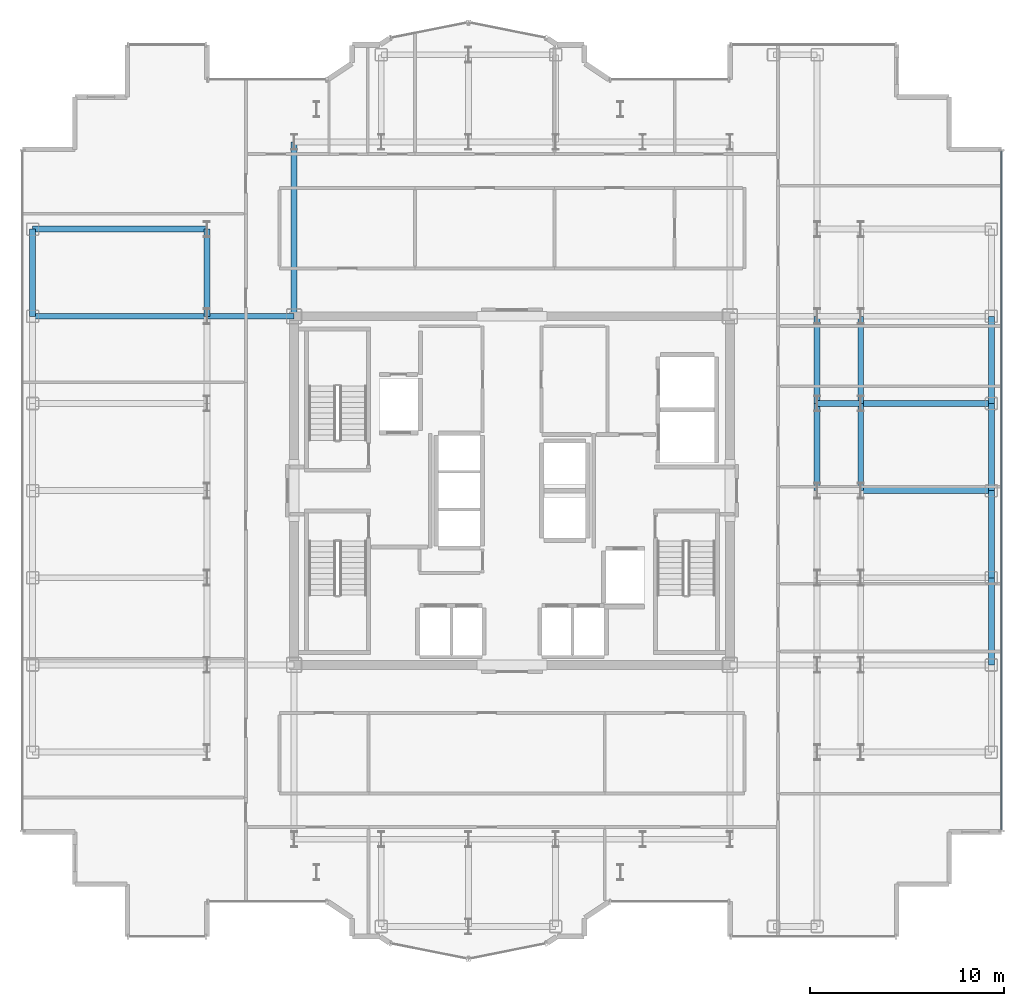
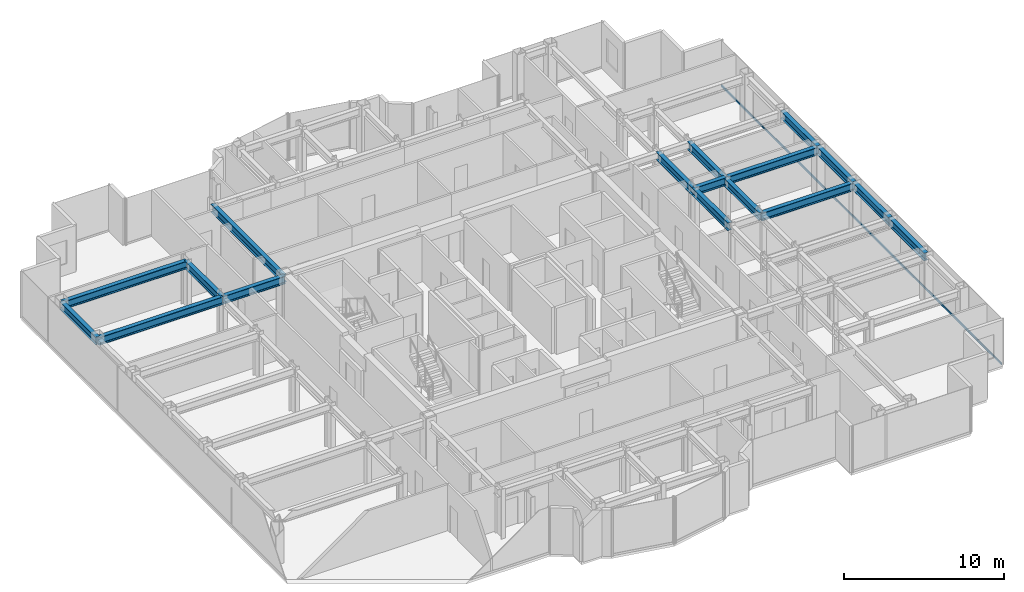
# One storey, part 7 of 20: 17 beams, 1 member, 1 element without a shape of its own.
"""IFC4 building model written with IfcOpenShell, lengths in metres."""

from ifc_helpers import new_model, si_unit, direction, frame, origin, origin_2d, place, context, subcontext, project, spatial, hollow_rectangle, i_section, extrude, source, transform, mapped, material, layer, layer_set, material_profile, profile_set, type_object, element, aggregate, save


model = new_model("IFC4")

# Units and contexts
model_context = context("Model", 3, precision=1e-05, world=origin(), true_north=direction((0.0, 1.0)))
body_context = subcontext(model_context, "Body", "Model", "MODEL_VIEW")
ifc_project = project(units=[si_unit("LENGTHUNIT", "METRE"), si_unit("AREAUNIT", "SQUARE_METRE"), si_unit("VOLUMEUNIT", "CUBIC_METRE"), si_unit("PLANEANGLEUNIT", "RADIAN"), si_unit("MASSUNIT", "GRAM", prefix="KILO")], contexts=[model_context])

# Site, building, storey
site_placement = place(None, origin())
site = spatial("IfcSite", under=ifc_project, at=site_placement, CompositionType="ELEMENT")
building_placement = place(site_placement, origin())
building = spatial("IfcBuilding", under=site, at=building_placement, Name="Nefas-Gora Pilgrimage Tower", CompositionType="ELEMENT")
storey_placement = place(building_placement, frame((0.0, 0.0, 244.60009765625)))
storey = spatial("IfcBuildingStorey", under=building, at=storey_placement, Name="L61", CompositionType="ELEMENT", Elevation=244.60009765625)

# Beams
ifc_material_1 = material(Name="Steel S355", Category="steel")
ifc_material_profile_1 = material_profile(ifc_material_1, i_section(OverallWidth=0.300048828125, OverallDepth=0.60009765625, WebThickness=0.015380859375, FlangeThickness=0.030029296875, FilletRadius=0.027099609375, at=origin_2d()), Name="HEB 600")
ifc_profile_set_1 = profile_set([ifc_material_profile_1], Name="Steel S355")
beam_type_1 = type_object("IfcBeamType", Name="BM-SPN-HEB450", PredefinedType="SPANDREL", material=ifc_profile_set_1)
shared_shape_1 = source(origin(), body_context, "Body", "SweptSolid", [
    extrude(i_section(OverallWidth=0.300048828125, OverallDepth=0.60009765625, WebThickness=0.015380859375, FlangeThickness=0.030029296875, FilletRadius=0.027099609375, at=origin_2d()), origin(), (0.0, 0.0, 1.0), 4.5),
])
for number, where, z_axis, x_axis, name in (
    (1, (-24.75, 9.0, 3.25), (0.0, 1.0, 0.0), (-1.0, 0.0, 0.0), "L61 SP-03 beam"),
    (2, (24.75, -9.0, 3.25), (0.0, 1.0, 0.0), (-1.0, 0.0, 0.0), "L61 SP-03 beam"),
    (3, (24.75, -4.5, 3.25), (0.0, 1.0, 0.0), (-1.0, 0.0, 0.0), "L61 SP-03 beam"),
    (4, (24.75, 0.0, 3.25), (0.0, 1.0, 0.0), (-1.0, 0.0, 0.0), "L61 SP-03 beam"),
    (5, (24.75, 4.5, 3.25), (0.0, 1.0, 0.0), (-1.0, 0.0, 0.0), "L61 SP-03 beam"),
):
    element("IfcBeam", number, at=place(storey_placement, frame(where, z_axis=z_axis, x_axis=x_axis)), inside=storey, type_object=beam_type_1, Name=name, PredefinedType="SPANDREL", context=body_context, shape_type="MappedRepresentation", body=[
        mapped(shared_shape_1, transform((0.0, 0.0, 0.0), x_axis=(1.0, 0.0, 0.0), y_axis=(0.0, 1.0, 0.0), z_axis=(0.0, 0.0, 1.0), scale=1.0)),
    ])
ifc_material_profile_2 = material_profile(ifc_material_1, i_section(OverallWidth=0.300048828125, OverallDepth=0.60009765625, WebThickness=0.015380859375, FlangeThickness=0.030029296875, FilletRadius=0.027099609375, at=origin_2d()), Name="HEB 600")
ifc_profile_set_2 = profile_set([ifc_material_profile_2], Name="Steel S355")
beam_type_2 = type_object("IfcBeamType", Name="BM-GIR-HEB600", PredefinedType="BEAM", material=ifc_profile_set_2)
shared_shape_2 = source(origin(), body_context, "Body", "SweptSolid", [
    extrude(i_section(OverallWidth=0.300048828125, OverallDepth=0.60009765625, WebThickness=0.015380859375, FlangeThickness=0.030029296875, FilletRadius=0.027099609375, at=origin_2d()), origin(), (0.0, 0.0, 1.0), 9.0),
])
for number, where, z_axis, x_axis, name in (
    (6, (-24.75, 9.0, 3.25), (1.0, 0.0, 0.0), (0.0, 1.0, 0.0), "L61 G-04 beam"),
    (7, (-24.75, 13.5, 3.25), (1.0, 0.0, 0.0), (0.0, 1.0, 0.0), "L61 G-04 beam"),
    (8, (-11.25, 9.0, 3.25), (0.0, 1.0, 0.0), (-1.0, 0.0, 0.0), "L61 G-04 beam"),
):
    element("IfcBeam", number, at=place(storey_placement, frame(where, z_axis=z_axis, x_axis=x_axis)), inside=storey, type_object=beam_type_2, Name=name, PredefinedType="BEAM", context=body_context, shape_type="MappedRepresentation", body=[
        mapped(shared_shape_2, transform((0.0, 0.0, 0.0), x_axis=(1.0, 0.0, 0.0), y_axis=(0.0, 1.0, 0.0), z_axis=(0.0, 0.0, 1.0), scale=1.0)),
    ])
shared_shape_3 = source(origin(), body_context, "Body", "SweptSolid", [
    extrude(i_section(OverallWidth=0.300048828125, OverallDepth=0.60009765625, WebThickness=0.015380859375, FlangeThickness=0.030029296875, FilletRadius=0.027099609375, at=origin_2d()), origin(), (0.0, 0.0, 1.0), 4.5),
])
for number, where, z_axis, x_axis, name in (
    (9, (-15.75, 9.0, 3.25), (0.0, 1.0, 0.0), (-1.0, 0.0, 0.0), "L61 G-04 beam"),
    (10, (-15.75, 9.0, 3.25), (1.0, 0.0, 0.0), (0.0, 1.0, 0.0), "L61 G-04 beam"),
    (11, (15.75, 0.0, 3.25), (0.0, 1.0, 0.0), (-1.0, 0.0, 0.0), "L61 G-04 beam"),
    (12, (15.75, 4.5, 3.25), (0.0, 1.0, 0.0), (-1.0, 0.0, 0.0), "L61 G-04 beam"),
    (13, (18.0, 0.0, 3.25), (0.0, 1.0, 0.0), (-1.0, 0.0, 0.0), "L61 G-04 beam"),
    (14, (18.0, 4.5, 3.25), (0.0, 1.0, 0.0), (-1.0, 0.0, 0.0), "L61 G-04 beam"),
):
    element("IfcBeam", number, at=place(storey_placement, frame(where, z_axis=z_axis, x_axis=x_axis)), inside=storey, type_object=beam_type_2, Name=name, PredefinedType="BEAM", context=body_context, shape_type="MappedRepresentation", body=[
        mapped(shared_shape_3, transform((0.0, 0.0, 0.0), x_axis=(1.0, 0.0, 0.0), y_axis=(0.0, 1.0, 0.0), z_axis=(0.0, 0.0, 1.0), scale=1.0)),
    ])
shared_shape_4 = source(origin(), body_context, "Body", "SweptSolid", [
    extrude(i_section(OverallWidth=0.300048828125, OverallDepth=0.60009765625, WebThickness=0.015380859375, FlangeThickness=0.030029296875, FilletRadius=0.027099609375, at=origin_2d()), origin(), (0.0, 0.0, 1.0), 6.75),
])
for number, where, z_axis, x_axis, name in (
    (15, (18.0, 0.0, 3.25), (1.0, 0.0, 0.0), (0.0, 1.0, 0.0), "L61 G-04 beam"),
    (16, (18.0, 4.5, 3.25), (1.0, 0.0, 0.0), (0.0, 1.0, 0.0), "L61 G-04 beam"),
):
    element("IfcBeam", number, at=place(storey_placement, frame(where, z_axis=z_axis, x_axis=x_axis)), inside=storey, type_object=beam_type_2, Name=name, PredefinedType="BEAM", context=body_context, shape_type="MappedRepresentation", body=[
        mapped(shared_shape_4, transform((0.0, 0.0, 0.0), x_axis=(1.0, 0.0, 0.0), y_axis=(0.0, 1.0, 0.0), z_axis=(0.0, 0.0, 1.0), scale=1.0)),
    ])
shared_shape_5 = source(origin(), body_context, "Body", "SweptSolid", [
    extrude(i_section(OverallWidth=0.300048828125, OverallDepth=0.60009765625, WebThickness=0.015380859375, FlangeThickness=0.030029296875, FilletRadius=0.027099609375, at=origin_2d()), origin(), (0.0, 0.0, 1.0), 2.25),
])
beam_placement = place(storey_placement, frame((15.75, 4.5, 3.25), z_axis=(1.0, 0.0, 0.0), x_axis=(0.0, 1.0, 0.0)))
element("IfcBeam", 17, at=beam_placement, inside=storey, type_object=beam_type_2, Name="L61 G-04 beam", PredefinedType="BEAM", context=body_context, shape_type="MappedRepresentation", body=[
    mapped(shared_shape_5, transform((0.0, 0.0, 0.0), x_axis=(1.0, 0.0, 0.0), y_axis=(0.0, 1.0, 0.0), z_axis=(0.0, 0.0, 1.0), scale=1.0)),
])

# Curtain wall, member
ifc_material_2 = material(Name="Dark ceramic-fritted solar-control aluminium-glass curtain wall", Category="aluminium")
ifc_layer = layer(ifc_material_2, 0.219970703125)
ifc_layer_set = layer_set([ifc_layer], Name="Dark ceramic-fritted solar-control aluminium-glass curtain wall")
curtain_wall_type = type_object("IfcCurtainWallType", Name="CW-SYS-3", PredefinedType="NOTDEFINED", material=ifc_layer_set)
curtain_wall_placement = place(storey_placement, origin())
curtain_wall = element("IfcCurtainWall", 18, at=curtain_wall_placement, inside=storey, type_object=curtain_wall_type, Name="L61 Unitised Curtain Wall CW3", PredefinedType="NOTDEFINED")
ifc_material_3 = material(Name="Anodised architectural aluminium", Category="aluminium")
ifc_material_profile_3 = material_profile(ifc_material_3, hollow_rectangle(XDim=0.080078125, YDim=0.159912109375, WallThickness=0.00439453125, InnerFilletRadius=0.00439453125, OuterFilletRadius=0.009033203125, at=origin_2d()), Name="ALU TRANSOM 80x160")
ifc_profile_set_3 = profile_set([ifc_material_profile_3], Name="Anodised architectural aluminium")
member_type = type_object("IfcMemberType", Name="CWM-TRN-3", PredefinedType="USERDEFINED", material=ifc_profile_set_3)
shared_shape_6 = source(origin(), body_context, "Body", "SweptSolid", [
    extrude(hollow_rectangle(XDim=0.080078125, YDim=0.159912109375, WallThickness=0.00439453125, InnerFilletRadius=0.00439453125, OuterFilletRadius=0.009033203125, at=origin_2d()), origin(), (0.0, 0.0, 1.0), 35.06005859375),
])
member_placement = place(storey_placement, frame((25.27001953125, -17.530029296875, 0.0498046875), z_axis=(0.0, 1.0, 0.0), x_axis=(-1.0, 0.0, 0.0)))
member = element("IfcMember", 19, at=member_placement, type_object=member_type, Name="CW3 Spandrel Transom", ObjectType="TRANSOM", PredefinedType="USERDEFINED", context=body_context, shape_type="MappedRepresentation", body=[
    mapped(shared_shape_6, transform((0.0, 0.0, 0.0), x_axis=(1.0, 0.0, 0.0), y_axis=(0.0, 1.0, 0.0), z_axis=(0.0, 0.0, 1.0), scale=1.0)),
])
aggregate(curtain_wall, [member])

save(model, "model.ifc")
